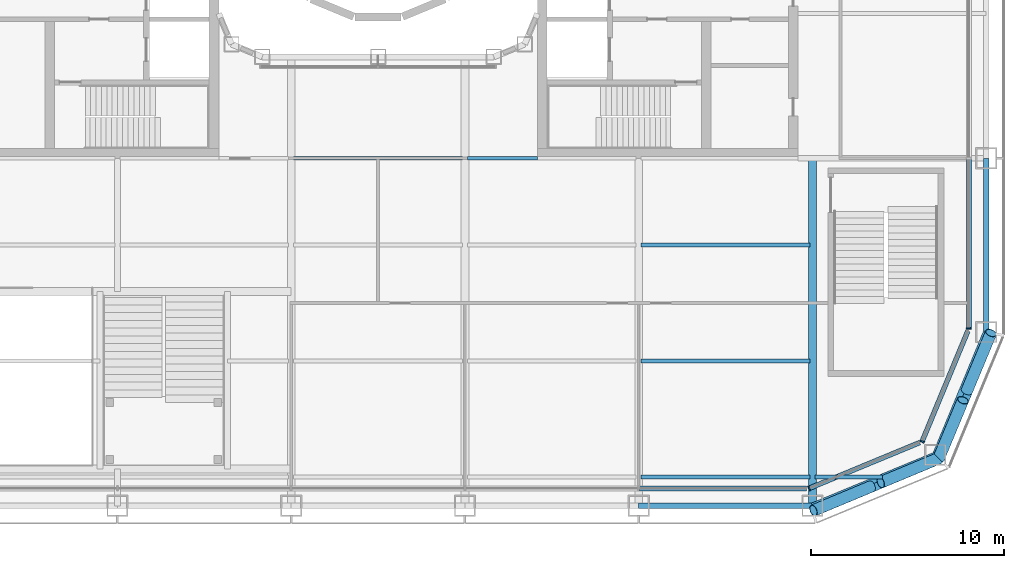
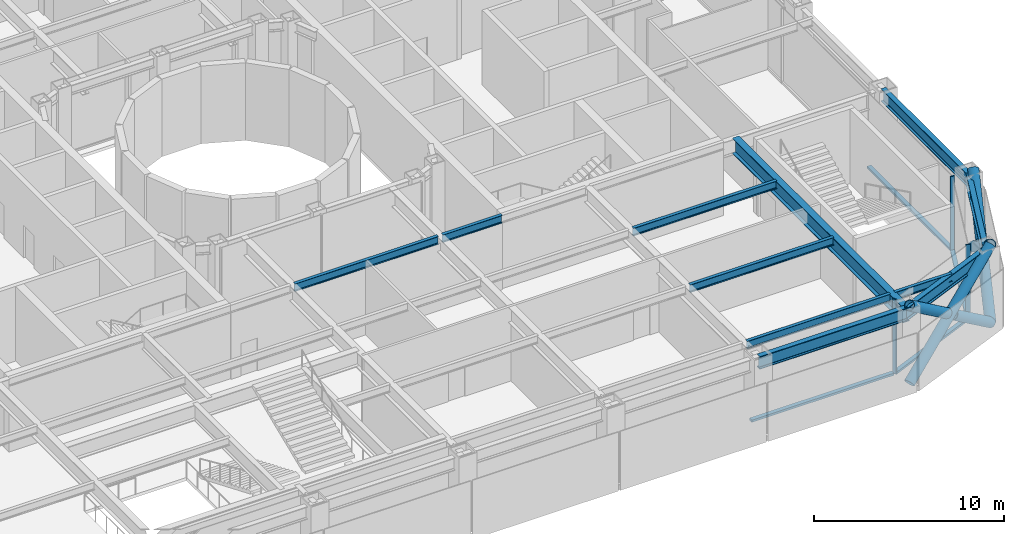
# One storey, part 4 of 25: 13 members, 11 beams, 4 elements without a shape of their own.
"""IFC4 building model written with IfcOpenShell, lengths in metres."""

from ifc_helpers import new_model, si_unit, direction, frame, origin, origin_2d, place, context, subcontext, project, spatial, rectangle, hollow_circle, i_section, extrude, material, layer, layer_set, material_profile, profile_set, type_object, element, aggregate, save


model = new_model("IFC4")

# Units and contexts
model_context = context("Model", 3, precision=1e-05, world=origin(), true_north=direction((0.0, 1.0)))
body_context = subcontext(model_context, "Body", "Model", "MODEL_VIEW")
ifc_project = project(units=[si_unit("LENGTHUNIT", "METRE"), si_unit("AREAUNIT", "SQUARE_METRE"), si_unit("VOLUMEUNIT", "CUBIC_METRE"), si_unit("PLANEANGLEUNIT", "RADIAN"), si_unit("MASSUNIT", "GRAM", prefix="KILO")], contexts=[model_context])

# Site, building, storey
site_placement = place(None, origin())
site = spatial("IfcSite", under=ifc_project, at=site_placement, CompositionType="ELEMENT")
building_placement = place(site_placement, origin())
building = spatial("IfcBuilding", under=site, at=building_placement, Name="Siwar Civic Tower", CompositionType="ELEMENT")
storey_placement = place(building_placement, frame((0.0, 0.0, 7.199951171875)))
storey = spatial("IfcBuildingStorey", under=building, at=storey_placement, Name="L01", CompositionType="ELEMENT", Elevation=7.199951171875)

# Curtain wall, member
ifc_material_1 = material(Name="Aluminium clad insulated panel", Category="aluminium")
ifc_layer_1 = layer(ifc_material_1, 0.25)
ifc_layer_set_1 = layer_set([ifc_layer_1], Name="Aluminium clad insulated panel")
curtain_wall_type_1 = type_object("IfcCurtainWallType", Name="ENV-CW-HX", PredefinedType="NOTDEFINED", material=ifc_layer_set_1)
curtain_wall_1_placement = place(storey_placement, origin())
curtain_wall_1 = element("IfcCurtainWall", 1, at=curtain_wall_1_placement, inside=storey, type_object=curtain_wall_type_1, Name="Curtain wall H SE1", PredefinedType="NOTDEFINED")
ifc_material_2 = material(Name="Aluminium 6063-T6", Category="aluminium")
ifc_material_profile_1 = material_profile(ifc_material_2, rectangle(XDim=0.25, YDim=0.080078125, at=origin_2d()), Name="AL 250x80")
ifc_profile_set_1 = profile_set([ifc_material_profile_1], Name="Aluminium 6063-T6")
member_type_1 = type_object("IfcMemberType", Name="ENV-MULLION-H", PredefinedType="MULLION", material=ifc_profile_set_1)
member_1_placement = place(storey_placement, frame((22.321044921875, -30.60009765625, 0.0), z_axis=(0.0, 0.0, 1.0), x_axis=(-0.382683432365, 0.923879532511, 0.0)))
member_1 = element("IfcMember", 2, at=member_1_placement, type_object=member_type_1, Name="Mullion H SE1 1", PredefinedType="MULLION", context=body_context, shape_type="SweptSolid", body=[
    extrude(rectangle(XDim=0.25, YDim=0.080078125, at=origin_2d()), origin(), (0.0, 0.0, 1.0), 4.800048828125),
])

curtain_wall_2_placement = place(storey_placement, origin())
curtain_wall_2 = element("IfcCurtainWall", 3, at=curtain_wall_2_placement, inside=storey, type_object=curtain_wall_type_1, Name="Curtain wall H SE2", PredefinedType="NOTDEFINED")
member_2_placement = place(storey_placement, frame((28.175048828125, -28.175048828125, 0.0), z_axis=(0.0, 0.0, 1.0), x_axis=(-0.923879532511, 0.382683432365, 0.0)))
member_2 = element("IfcMember", 4, at=member_2_placement, type_object=member_type_1, Name="Mullion H SE2 1", PredefinedType="MULLION", context=body_context, shape_type="SweptSolid", body=[
    extrude(rectangle(XDim=0.25, YDim=0.080078125, at=origin_2d()), origin(), (0.0, 0.0, 1.0), 4.800048828125),
])

ifc_material_3 = material(Name="Aluminium and glass", Category="aluminium")
ifc_layer_2 = layer(ifc_material_3, 0.25)
ifc_layer_set_2 = layer_set([ifc_layer_2], Name="Aluminium and glass")
curtain_wall_type_2 = type_object("IfcCurtainWallType", Name="ENV-CW-H", PredefinedType="NOTDEFINED", material=ifc_layer_set_2)
curtain_wall_3_placement = place(storey_placement, origin())
curtain_wall_3 = element("IfcCurtainWall", 5, at=curtain_wall_3_placement, inside=storey, type_object=curtain_wall_type_2, Name="Curtain wall H E", PredefinedType="NOTDEFINED")
member_3_placement = place(storey_placement, frame((30.60009765625, -22.321044921875, 0.0), z_axis=(0.0, 0.0, 1.0), x_axis=(-1.0, 0.0, 0.0)))
member_3 = element("IfcMember", 6, at=member_3_placement, type_object=member_type_1, Name="Mullion H E 1", PredefinedType="MULLION", context=body_context, shape_type="SweptSolid", body=[
    extrude(rectangle(XDim=0.25, YDim=0.080078125, at=origin_2d()), origin(), (0.0, 0.0, 1.0), 4.800048828125),
])

curtain_wall_4_placement = place(storey_placement, origin())
curtain_wall_4 = element("IfcCurtainWall", 7, at=curtain_wall_4_placement, inside=storey, type_object=curtain_wall_type_2, Name="Curtain wall H S", PredefinedType="NOTDEFINED")
ifc_material_4 = material(Name="Aluminium 6063-T6", Category="aluminium")
ifc_material_profile_2 = material_profile(ifc_material_4, rectangle(XDim=0.25, YDim=0.139892578125, at=origin_2d()), Name="AL 250x140")
ifc_profile_set_2 = profile_set([ifc_material_profile_2], Name="Aluminium 6063-T6")
member_type_2 = type_object("IfcMemberType", Name="ENV-TRANSOM-H", PredefinedType="USERDEFINED", material=ifc_profile_set_2)
member_4_placement = place(storey_placement, frame((13.5400390625, -30.60009765625, 0.070068359375), z_axis=(1.0, 0.0, 0.0), x_axis=(0.0, 1.0, 0.0)))
member_4 = element("IfcMember", 8, at=member_4_placement, type_object=member_type_2, Name="Transom H S 5", ObjectType="TRANSOM", PredefinedType="USERDEFINED", context=body_context, shape_type="SweptSolid", body=[
    extrude(rectangle(XDim=0.25, YDim=0.139892578125, at=origin_2d()), origin(), (0.0, 0.0, 1.0), 8.644287109375),
])
aggregate(curtain_wall_4, [member_4])

# Member
member_5_placement = place(storey_placement, frame((22.35791015625, -30.584716796875, 0.070068359375), z_axis=(0.92388399052, 0.382672669604, 0.0), x_axis=(-0.382672669604, 0.92388399052, 0.0)))
member_5 = element("IfcMember", 9, at=member_5_placement, type_object=member_type_2, Name="Transom H SE1 1", ObjectType="TRANSOM", PredefinedType="USERDEFINED", context=body_context, shape_type="SweptSolid", body=[
    extrude(rectangle(XDim=0.25, YDim=0.139892578125, at=origin_2d()), origin(), (0.0, 0.0, 1.0), 6.15966796875),
])

aggregate(curtain_wall_1, [member_1, member_5])

member_6_placement = place(storey_placement, frame((28.1904296875, -28.13818359375, 0.070068359375), z_axis=(0.382672669604, 0.92388399052, 0.0), x_axis=(-0.92388399052, 0.382672669604, 0.0)))
member_6 = element("IfcMember", 10, at=member_6_placement, type_object=member_type_2, Name="Transom H SE2 1", ObjectType="TRANSOM", PredefinedType="USERDEFINED", context=body_context, shape_type="SweptSolid", body=[
    extrude(rectangle(XDim=0.25, YDim=0.139892578125, at=origin_2d()), origin(), (0.0, 0.0, 1.0), 6.15966796875),
])

aggregate(curtain_wall_2, [member_2, member_6])

member_7_placement = place(storey_placement, frame((30.60009765625, -22.281005859375, 0.070068359375), z_axis=(0.0, 1.0, 0.0), x_axis=(-1.0, 0.0, 0.0)))
member_7 = element("IfcMember", 11, at=member_7_placement, type_object=member_type_2, Name="Transom H E 1", ObjectType="TRANSOM", PredefinedType="USERDEFINED", context=body_context, shape_type="SweptSolid", body=[
    extrude(rectangle(XDim=0.25, YDim=0.139892578125, at=origin_2d()), origin(), (0.0, 0.0, 1.0), 8.740966796875),
])

aggregate(curtain_wall_3, [member_3, member_7])

# Members
ifc_material_5 = material(Name="Steel S355", Category="steel")
ifc_material_profile_3 = material_profile(ifc_material_5, hollow_circle(Radius=0.304931640625, WallThickness=0.030029296875, at=origin_2d()), Name="CHS610x30")
ifc_profile_set_3 = profile_set([ifc_material_profile_3], Name="Steel S355")
member_type_3 = type_object("IfcMemberType", Name="STR-BR-CHS610x30", PredefinedType="BRACE", material=ifc_profile_set_3)
member_8_placement = place(storey_placement, frame((31.7451171875, -22.548828125, 0.0), z_axis=(-0.313403721941, -0.752344350468, 0.579444635312), x_axis=(0.923108759191, -0.384538969033, 0.0)))
element("IfcMember", 12, at=member_8_placement, inside=storey, type_object=member_type_3, Name="L01/brc/ASE1-0-0-1", PredefinedType="BRACE", context=body_context, shape_type="SweptSolid", body=[
    extrude(hollow_circle(Radius=0.304931640625, WallThickness=0.030029296875, at=origin_2d()), origin(), (0.0, 0.0, 1.0), 8.62890625),
])
for number, where, z_axis, x_axis, name in (
    (13, (29.040771484375, -29.040771484375, 0.0), (0.313373422739, 0.752340560323, 0.5794659431), (-0.923121267833, 0.384508939914, 0.0), "L01/brc/ASE1-0-0-2"),
    (14, (30.49267578125, -25.5556640625, 2.684326171875), (0.313384515382, 0.752367191316, 0.57942536616), (-0.923121267833, 0.384508939914, 0.0), "L01/brc/ASE1-0-0-3"),
):
    element("IfcMember", number, at=place(storey_placement, frame(where, z_axis=z_axis, x_axis=x_axis)), inside=storey, type_object=member_type_3, Name=name, PredefinedType="BRACE", context=body_context, shape_type="SweptSolid", body=[
        extrude(hollow_circle(Radius=0.304931640625, WallThickness=0.030029296875, at=origin_2d()), origin(), (0.0, 0.0, 1.0), 3.99658203125),
    ])
member_9_placement = place(storey_placement, frame((22.548828125, -31.7451171875, 0.0), z_axis=(0.752344350468, 0.313403721941, 0.579444635312), x_axis=(-0.384538969033, 0.923108759191, 0.0)))
element("IfcMember", 15, at=member_9_placement, inside=storey, type_object=member_type_3, Name="L01/brc/ASE1-0-0-0", PredefinedType="BRACE", context=body_context, shape_type="SweptSolid", body=[
    extrude(hollow_circle(Radius=0.304931640625, WallThickness=0.030029296875, at=origin_2d()), origin(), (0.0, 0.0, 1.0), 8.62890625),
])
for number, where, z_axis, x_axis, name in (
    (16, (29.040771484375, -29.040771484375, 0.0), (-0.752340560323, -0.313373422739, 0.5794659431), (0.384508939914, -0.923121267833, 0.0), "L01/brc/ASE1-0-0-4"),
    (17, (25.5556640625, -30.49267578125, 2.684326171875), (-0.752367191316, -0.313384515382, 0.57942536616), (0.384508939914, -0.923121267833, 0.0), "L01/brc/ASE1-0-0-5"),
):
    element("IfcMember", number, at=place(storey_placement, frame(where, z_axis=z_axis, x_axis=x_axis)), inside=storey, type_object=member_type_3, Name=name, PredefinedType="BRACE", context=body_context, shape_type="SweptSolid", body=[
        extrude(hollow_circle(Radius=0.304931640625, WallThickness=0.030029296875, at=origin_2d()), origin(), (0.0, 0.0, 1.0), 3.99658203125),
    ])

# Beams
ifc_material_6 = material(Name="Steel S355", Category="steel")
ifc_material_profile_4 = material_profile(ifc_material_6, i_section(OverallWidth=0.199951171875, OverallDepth=0.5, WebThickness=0.01025390625, FlangeThickness=0.01611328125, FilletRadius=0.02099609375, at=origin_2d()), Name="IPE500")
ifc_profile_set_4 = profile_set([ifc_material_profile_4], Name="Steel S355")
beam_type_1 = type_object("IfcBeamType", Name="STR-FB-IPE500", PredefinedType="JOIST", material=ifc_profile_set_4)
beam_1_placement = place(storey_placement, frame((13.6298828125, -30.0, 4.550048828125), z_axis=(1.0, 0.0, 0.0), x_axis=(0.0, 1.0, 0.0)))
element("IfcBeam", 18, at=beam_1_placement, inside=storey, type_object=beam_type_1, Name="L01/bm/F006", PredefinedType="JOIST", context=body_context, shape_type="SweptSolid", body=[
    extrude(i_section(OverallWidth=0.199951171875, OverallDepth=0.5, WebThickness=0.01025390625, FlangeThickness=0.01611328125, FilletRadius=0.02099609375, at=origin_2d()), origin(), (0.0, 0.0, 1.0), 8.740234375),
])
beam_2_placement = place(storey_placement, frame((22.6298828125, -30.0, 4.550048828125), z_axis=(1.0, 0.0, 0.0), x_axis=(0.0, 1.0, 0.0)))
element("IfcBeam", 19, at=beam_2_placement, inside=storey, type_object=beam_type_1, Name="L01/bm/F007", PredefinedType="JOIST", context=body_context, shape_type="SweptSolid", body=[
    extrude(i_section(OverallWidth=0.199951171875, OverallDepth=0.5, WebThickness=0.01025390625, FlangeThickness=0.01611328125, FilletRadius=0.02099609375, at=origin_2d()), origin(), (0.0, 0.0, 1.0), 3.491455078125),
])
for number, where, z_axis, x_axis, name in (
    (20, (13.6298828125, -24.0, 4.550048828125), (1.0, 0.0, 0.0), (0.0, 1.0, 0.0), "L01/bm/F013"),
    (21, (13.6298828125, -18.0, 4.550048828125), (1.0, 0.0, 0.0), (0.0, 1.0, 0.0), "L01/bm/F019"),
    (22, (-4.3701171875, -13.5, 4.550048828125), (1.0, 0.0, 0.0), (0.0, 1.0, 0.0), "L01/bm/F024"),
):
    element("IfcBeam", number, at=place(storey_placement, frame(where, z_axis=z_axis, x_axis=x_axis)), inside=storey, type_object=beam_type_1, Name=name, PredefinedType="JOIST", context=body_context, shape_type="SweptSolid", body=[
        extrude(i_section(OverallWidth=0.199951171875, OverallDepth=0.5, WebThickness=0.01025390625, FlangeThickness=0.01611328125, FilletRadius=0.02099609375, at=origin_2d()), origin(), (0.0, 0.0, 1.0), 8.740234375),
    ])
beam_3_placement = place(storey_placement, frame((4.6298828125, -13.5, 4.550048828125), z_axis=(1.0, 0.0, 0.0), x_axis=(0.0, 1.0, 0.0)))
element("IfcBeam", 23, at=beam_3_placement, inside=storey, type_object=beam_type_1, Name="L01/bm/F025", PredefinedType="JOIST", context=body_context, shape_type="SweptSolid", body=[
    extrude(i_section(OverallWidth=0.199951171875, OverallDepth=0.5, WebThickness=0.01025390625, FlangeThickness=0.01611328125, FilletRadius=0.02099609375, at=origin_2d()), origin(), (0.0, 0.0, 1.0), 3.6201171875),
])
ifc_material_7 = material(Name="Steel S355", Category="steel")
ifc_material_profile_5 = material_profile(ifc_material_7, i_section(OverallWidth=0.39990234375, OverallDepth=1.0, WebThickness=0.01611328125, FlangeThickness=0.0400390625, at=origin_2d()), Name="PG1000x400x16x40")
ifc_profile_set_5 = profile_set([ifc_material_profile_5], Name="Steel S355")
beam_type_2 = type_object("IfcBeamType", Name="STR-PG-PG1000x400x16x40", PredefinedType="BEAM", material=ifc_profile_set_5)
beam_4_placement = place(storey_placement, frame((22.5, -31.5, 4.300048828125), z_axis=(0.0, 1.0, 0.0), x_axis=(-1.0, 0.0, 0.0)))
element("IfcBeam", 24, at=beam_4_placement, inside=storey, type_object=beam_type_2, Name="L01/bm/G13", PredefinedType="BEAM", context=body_context, shape_type="SweptSolid", body=[
    extrude(i_section(OverallWidth=0.39990234375, OverallDepth=1.0, WebThickness=0.01611328125, FlangeThickness=0.0400390625, at=origin_2d()), origin(), (0.0, 0.0, 1.0), 18.0),
])
ifc_material_8 = material(Name="Steel S355", Category="steel")
ifc_material_profile_6 = material_profile(ifc_material_8, i_section(OverallWidth=0.302978515625, OverallDepth=0.81396484375, WebThickness=0.02099609375, FlangeThickness=0.0400390625, FilletRadius=0.030029296875, at=origin_2d()), Name="HEM800")
ifc_profile_set_6 = profile_set([ifc_material_profile_6], Name="Steel S355")
beam_type_3 = type_object("IfcBeamType", Name="STR-SB-HEM800", PredefinedType="BEAM", material=ifc_profile_set_6)
beam_5_placement = place(storey_placement, frame((13.5, -31.5, 4.39306640625), z_axis=(1.0, 0.0, 0.0), x_axis=(0.0, 1.0, 0.0)))
element("IfcBeam", 25, at=beam_5_placement, inside=storey, type_object=beam_type_3, Name="L01/bm/SS-4", PredefinedType="BEAM", context=body_context, shape_type="SweptSolid", body=[
    extrude(i_section(OverallWidth=0.302978515625, OverallDepth=0.81396484375, WebThickness=0.02099609375, FlangeThickness=0.0400390625, FilletRadius=0.030029296875, at=origin_2d()), origin(), (0.0, 0.0, 1.0), 9.0),
])
for number, where, z_axis, x_axis, name in (
    (26, (22.5, -31.5, 4.39306640625), (0.923883353507, 0.382674207535, 0.0), (-0.382674207535, 0.923883353507, 0.0), "L01/bm/SSE1-0"),
    (27, (28.864013671875, -28.864013671875, 4.39306640625), (0.382674207535, 0.923883353507, 0.0), (-0.923883353507, 0.382674207535, 0.0), "L01/bm/SSE2-0"),
):
    element("IfcBeam", number, at=place(storey_placement, frame(where, z_axis=z_axis, x_axis=x_axis)), inside=storey, type_object=beam_type_3, Name=name, PredefinedType="BEAM", context=body_context, shape_type="SweptSolid", body=[
        extrude(i_section(OverallWidth=0.302978515625, OverallDepth=0.81396484375, WebThickness=0.02099609375, FlangeThickness=0.0400390625, FilletRadius=0.030029296875, at=origin_2d()), origin(), (0.0, 0.0, 1.0), 6.888427734375),
    ])
beam_6_placement = place(storey_placement, frame((31.5, -22.5, 4.39306640625), z_axis=(0.0, 1.0, 0.0), x_axis=(-1.0, 0.0, 0.0)))
element("IfcBeam", 28, at=beam_6_placement, inside=storey, type_object=beam_type_3, Name="L01/bm/SE-0", PredefinedType="BEAM", context=body_context, shape_type="SweptSolid", body=[
    extrude(i_section(OverallWidth=0.302978515625, OverallDepth=0.81396484375, WebThickness=0.02099609375, FlangeThickness=0.0400390625, FilletRadius=0.030029296875, at=origin_2d()), origin(), (0.0, 0.0, 1.0), 9.0),
])

save(model, "model.ifc")
